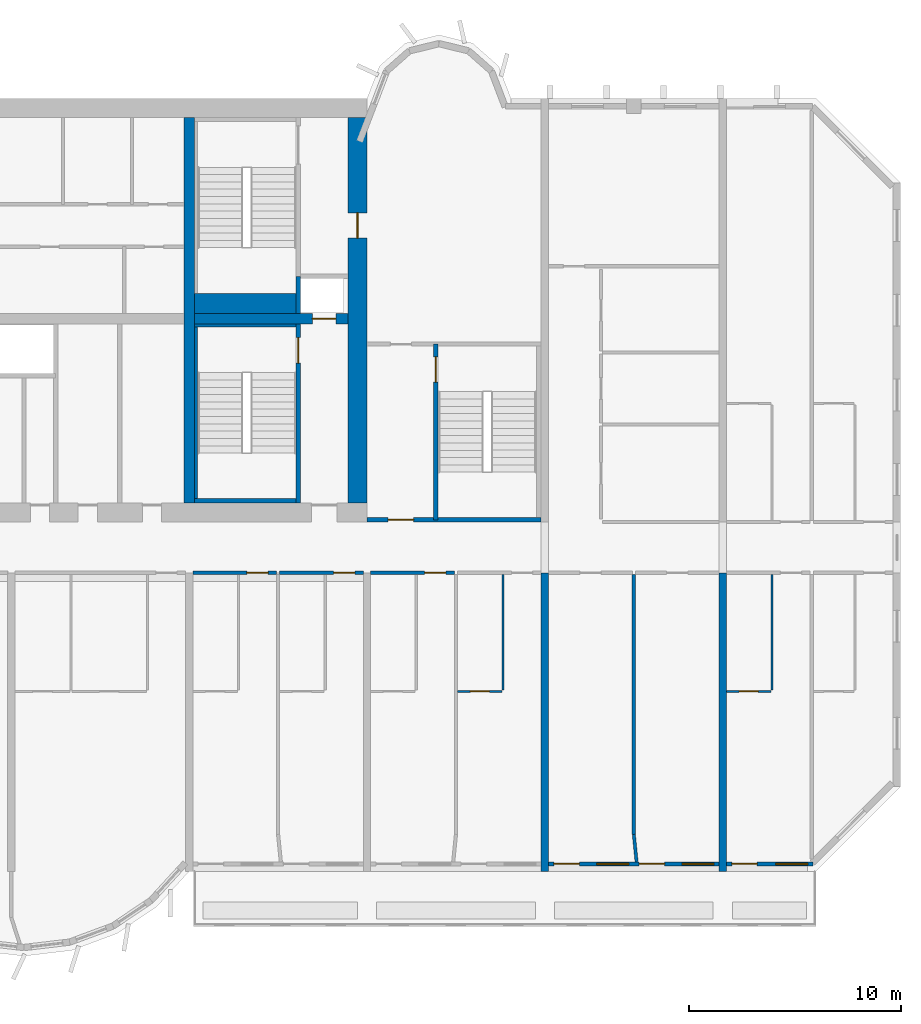
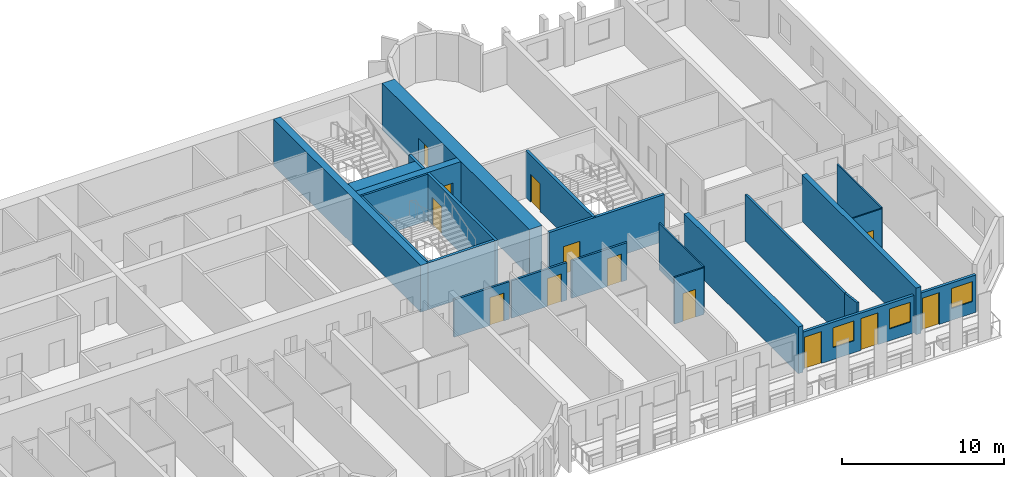
# One storey, part 9 of 15: 24 walls, 13 doors, 3 windows, 16 openings.
"""IFC4 building model written with IfcOpenShell, lengths in metres."""

from ifc_helpers import new_model, si_unit, direction, frame, frame_2d, origin, place, context, subcontext, project, spatial, rectangle, extrude, source, transform, mapped, material, layer, layer_set, type_object, element, fill, save


model = new_model("IFC4")

# Units and contexts
model_context = context("Model", 3, precision=1e-05, world=origin(), true_north=direction((0.0, 1.0)))
body_context = subcontext(model_context, "Body", "Model", "MODEL_VIEW")
ifc_project = project(units=[si_unit("LENGTHUNIT", "METRE"), si_unit("AREAUNIT", "SQUARE_METRE"), si_unit("VOLUMEUNIT", "CUBIC_METRE"), si_unit("PLANEANGLEUNIT", "RADIAN"), si_unit("MASSUNIT", "GRAM", prefix="KILO")], contexts=[model_context])

# Site, building, storey
site_placement = place(None, origin())
site = spatial("IfcSite", under=ifc_project, at=site_placement, CompositionType="ELEMENT")
building_placement = place(site_placement, origin())
building = spatial("IfcBuilding", under=site, at=building_placement, Name="Vanashikhar Sky Hotel", CompositionType="ELEMENT")
storey_placement = place(building_placement, frame((0.0, 0.0, 95.199951171875)))
storey = spatial("IfcBuildingStorey", under=building, at=storey_placement, Name="L22", CompositionType="ELEMENT", Elevation=95.199951171875)

# Wall, opening, door
ifc_material_1 = material(Name="Concrete M70", Category="concrete")
ifc_layer_1 = layer(ifc_material_1, 0.89990234375)
ifc_layer_set_1 = layer_set([ifc_layer_1], Name="RC core shell wall 900 Concrete M70")
wall_type_1 = type_object("IfcWallType", Name="RC core shell wall 900 Concrete M70", PredefinedType="SHEAR", material=ifc_layer_set_1)
shared_shape_1 = source(origin(), body_context, "Body", "SweptSolid", [
    extrude(rectangle(XDim=18.2001953125, YDim=0.89990234375, at=frame_2d((9.10009765625, 0.0))), origin(), (0.0, 0.0, 1.0), 3.52001953125),
])
wall_1_placement = place(storey_placement, frame((75.14990234375, 22.89990234375, 0.0), z_axis=(0.0, 0.0, 1.0), x_axis=(0.0, 1.0, 0.0)))
wall_1 = element("IfcWall", 1, at=wall_1_placement, inside=storey, type_object=wall_type_1, Name="KW-L22-KE", PredefinedType="SHEAR", context=body_context, shape_type="MappedRepresentation", body=[
    mapped(shared_shape_1, transform((0.0, 0.0, 0.0), scale=1.0)),
])
shared_shape_2 = source(origin(), body_context, "Body", "SweptSolid", [
    extrude(rectangle(XDim=1.199951171875, YDim=2.10009765625, at=frame_2d((0.60009765625, 1.050048828125))), frame((0.0, 0.4599609375, 0.0), z_axis=(0.0, -1.0, 0.0), x_axis=(1.0, 0.0, 0.0)), (0.0, 0.0, 1.0), 0.919921875),
])
opening_1_placement = place(wall_1_placement, frame((12.5, 0.0, 0.0)))
opening_1 = element("IfcOpeningElement", 2, at=opening_1_placement, cuts=wall_1, Name="Opening DC-4-D", PredefinedType="OPENING", context=body_context, shape_type="MappedRepresentation", body=[
    mapped(shared_shape_2, transform((0.0, 0.0, 0.0), scale=1.0)),
])
ifc_material_2 = material(Name="Steel", Category="steel")
door_type_1 = type_object("IfcDoorType", Name="Service door 1200 FD120", OperationType="NOTDEFINED", PredefinedType="DOOR", material=ifc_material_2)
shared_shape_3 = source(origin(), body_context, "Body", "SweptSolid", [
    extrude(rectangle(XDim=1.199951171875, YDim=2.10009765625, at=frame_2d((0.60009765625, 1.050048828125))), frame((0.0, 0.02490234375, 0.0), z_axis=(0.0, -1.0, 0.0), x_axis=(1.0, 0.0, 0.0)), (0.0, 0.0, 1.0), 0.050048828125),
])
door_1_placement = place(opening_1_placement, origin())
door_1 = element("IfcDoor", 3, at=door_1_placement, inside=storey, type_object=door_type_1, Name="Service door 1200 FD120", OperationType="SINGLE_SWING_RIGHT", OverallHeight=2.10009765625, OverallWidth=1.199951171875, PredefinedType="DOOR", context=body_context, shape_type="MappedRepresentation", body=[
    mapped(shared_shape_3, transform((0.0, 0.0, 0.0), scale=1.0)),
])
fill(opening_1, door_1)

# Wall
ifc_layer_2 = layer(ifc_material_1, 0.5)
ifc_layer_set_2 = layer_set([ifc_layer_2], Name="RC core inner wall 500 Concrete M70")
wall_type_2 = type_object("IfcWallType", Name="RC core inner wall 500 Concrete M70", PredefinedType="SHEAR", material=ifc_layer_set_2)
shared_shape_4 = source(origin(), body_context, "Body", "SweptSolid", [
    extrude(rectangle(XDim=18.2001953125, YDim=0.5, at=frame_2d((9.10009765625, 0.0))), origin(), (0.0, 0.0, 1.0), 3.52001953125),
])
wall_2_placement = place(storey_placement, frame((67.199951171875, 22.89990234375, 0.0), z_axis=(0.0, 0.0, 1.0), x_axis=(0.0, 1.0, 0.0)))
element("IfcWall", 4, at=wall_2_placement, inside=storey, type_object=wall_type_2, Name="KW-L22-KX3", PredefinedType="SHEAR", context=body_context, shape_type="MappedRepresentation", body=[
    mapped(shared_shape_4, transform((0.0, 0.0, 0.0), scale=1.0)),
])

# Wall, opening, door
shared_shape_5 = source(origin(), body_context, "Body", "SweptSolid", [
    extrude(rectangle(XDim=7.25, YDim=0.5, at=frame_2d((3.625, 0.0))), origin(), (0.0, 0.0, 1.0), 3.52001953125),
])
wall_3_placement = place(storey_placement, frame((67.449951171875, 31.60009765625, 0.0), z_axis=(0.0, 0.0, 1.0), x_axis=(1.0, 0.0, 0.0)))
wall_3 = element("IfcWall", 5, at=wall_3_placement, inside=storey, type_object=wall_type_2, Name="KW-L22-KY4", PredefinedType="SHEAR", context=body_context, shape_type="MappedRepresentation", body=[
    mapped(shared_shape_5, transform((0.0, 0.0, 0.0), scale=1.0)),
])
shared_shape_6 = source(origin(), body_context, "Body", "SweptSolid", [
    extrude(rectangle(XDim=1.10009765625, YDim=2.10009765625, at=frame_2d((0.550048828125, 1.050048828125))), frame((0.0, 0.260009765625, 0.0), z_axis=(0.0, -1.0, 0.0), x_axis=(1.0, 0.0, 0.0)), (0.0, 0.0, 1.0), 0.52001953125),
])
opening_2_placement = place(wall_3_placement, frame((5.574951171875, 0.0, 0.0)))
opening_2 = element("IfcOpeningElement", 6, at=opening_2_placement, cuts=wall_3, Name="Opening LD", PredefinedType="OPENING", context=body_context, shape_type="MappedRepresentation", body=[
    mapped(shared_shape_6, transform((0.0, 0.0, 0.0), scale=1.0)),
])
ifc_material_3 = material(Name="Stainless steel", Category="steel")
door_type_2 = type_object("IfcDoorType", Name="Lift landing door 1100", OperationType="NOTDEFINED", PredefinedType="DOOR", material=ifc_material_3)
shared_shape_7 = source(origin(), body_context, "Body", "SweptSolid", [
    extrude(rectangle(XDim=1.10009765625, YDim=2.10009765625, at=frame_2d((0.550048828125, 1.050048828125))), frame((0.0, 0.02490234375, 0.0), z_axis=(0.0, -1.0, 0.0), x_axis=(1.0, 0.0, 0.0)), (0.0, 0.0, 1.0), 0.050048828125),
])
door_2_placement = place(opening_2_placement, origin())
door_2 = element("IfcDoor", 7, at=door_2_placement, inside=storey, type_object=door_type_2, Name="Lift landing door 1100", OperationType="SLIDING_TO_RIGHT", OverallHeight=2.10009765625, OverallWidth=1.10009765625, PredefinedType="DOOR", context=body_context, shape_type="MappedRepresentation", body=[
    mapped(shared_shape_7, transform((0.0, 0.0, 0.0), scale=1.0)),
])
fill(opening_2, door_2)

# Walls
ifc_layer_3 = layer(ifc_material_1, 0.35009765625)
ifc_layer_set_3 = layer_set([ifc_layer_3], Name="RC shear wall 350 Concrete M70")
wall_type_3 = type_object("IfcWallType", Name="RC shear wall 350 Concrete M70", PredefinedType="SHEAR", material=ifc_layer_set_3)
shared_shape_8 = source(origin(), body_context, "Body", "SweptSolid", [
    extrude(rectangle(XDim=14.10009765625, YDim=0.35009765625, at=frame_2d((7.050048828125, 0.0))), origin(), (0.0, 0.0, 1.0), 3.52001953125),
])
for number, where, z_axis, x_axis, name in (
    (8, (84.0, 5.5, 0.0), (0.0, 0.0, 1.0), (0.0, 1.0, 0.0), "CW-L22-XW11-1"),
    (9, (92.39990234375, 5.5, 0.0), (0.0, 0.0, 1.0), (0.0, 1.0, 0.0), "CW-L22-XW12-1"),
):
    element("IfcWall", number, at=place(storey_placement, frame(where, z_axis=z_axis, x_axis=x_axis)), inside=storey, type_object=wall_type_3, Name=name, PredefinedType="SHEAR", context=body_context, shape_type="MappedRepresentation", body=[
        mapped(shared_shape_8, transform((0.0, 0.0, 0.0), scale=1.0)),
    ])

# Wall, openings, window, door
ifc_material_4 = material(Name="Concrete M50", Category="concrete")
ifc_layer_4 = layer(ifc_material_4, 0.199951171875)
ifc_layer_set_4 = layer_set([ifc_layer_4], Name="Front window wall 200")
wall_type_4 = type_object("IfcWallType", Name="Front window wall 200", PredefinedType="SOLIDWALL", material=ifc_layer_set_4)
shared_shape_9 = source(origin(), body_context, "Body", "SweptSolid", [
    extrude(rectangle(XDim=4.080078125, YDim=0.199951171875, at=frame_2d((2.0400390625, 0.0))), origin(), (0.0, 0.0, 1.0), 2.820068359375),
])
wall_4_placement = place(storey_placement, frame((92.574951171875, 5.85009765625, 0.0), z_axis=(0.0, 0.0, 1.0), x_axis=(1.0, 0.0, 0.0)))
wall_4 = element("IfcWall", 10, at=wall_4_placement, inside=storey, type_object=wall_type_4, Name="Front window wall", PredefinedType="SOLIDWALL", context=body_context, shape_type="MappedRepresentation", body=[
    mapped(shared_shape_9, transform((0.0, 0.0, 0.0), scale=1.0)),
])
shared_shape_10 = source(origin(), body_context, "Body", "SweptSolid", [
    extrude(rectangle(XDim=1.199951171875, YDim=2.39990234375, at=frame_2d((0.60009765625, 1.199951171875))), frame((0.0, 0.10986328125, 0.0), z_axis=(0.0, -1.0, 0.0), x_axis=(1.0, 0.0, 0.0)), (0.0, 0.0, 1.0), 0.219970703125),
])
opening_3_placement = place(wall_4_placement, frame((0.25, 0.0, 0.0)))
opening_3 = element("IfcOpeningElement", 11, at=opening_3_placement, cuts=wall_4, Name="Opening BD-14", PredefinedType="OPENING", context=body_context, shape_type="MappedRepresentation", body=[
    mapped(shared_shape_10, transform((0.0, 0.0, 0.0), scale=1.0)),
])
shared_shape_11 = source(origin(), body_context, "Body", "SweptSolid", [
    extrude(rectangle(XDim=1.5, YDim=1.5, at=frame_2d((0.75, 0.75))), frame((0.0, 0.10986328125, 0.0), z_axis=(0.0, -1.0, 0.0), x_axis=(1.0, 0.0, 0.0)), (0.0, 0.0, 1.0), 0.219970703125),
])
opening_4_placement = place(wall_4_placement, frame((2.330078125, 0.0, 0.89990234375)))
opening_4 = element("IfcOpeningElement", 12, at=opening_4_placement, cuts=wall_4, Name="Opening WN-1", PredefinedType="OPENING", context=body_context, shape_type="MappedRepresentation", body=[
    mapped(shared_shape_11, transform((0.0, 0.0, 0.0), scale=1.0)),
])
ifc_material_5 = material(Name="Glass", Category="glass")
window_type = type_object("IfcWindowType", Name="Window 1500 x 1500", PartitioningType="SINGLE_PANEL", PredefinedType="WINDOW", material=ifc_material_5)
shared_shape_12 = source(origin(), body_context, "Body", "SweptSolid", [
    extrude(rectangle(XDim=1.5, YDim=1.5, at=frame_2d((0.75, 0.75))), frame((0.0, 0.030029296875, 0.0), z_axis=(0.0, -1.0, 0.0), x_axis=(1.0, 0.0, 0.0)), (0.0, 0.0, 1.0), 0.06005859375),
])
window_1_placement = place(opening_4_placement, origin())
window_1 = element("IfcWindow", 13, at=window_1_placement, inside=storey, type_object=window_type, Name="Window WN-1", OverallHeight=1.5, OverallWidth=1.5, PartitioningType="SINGLE_PANEL", PredefinedType="WINDOW", context=body_context, shape_type="MappedRepresentation", body=[
    mapped(shared_shape_12, transform((0.0, 0.0, 0.0), scale=1.0)),
])
fill(opening_4, window_1)
ifc_material_6 = material(Name="Aluminium", Category="aluminium")
door_type_3 = type_object("IfcDoorType", Name="Balcony sliding door 1200 x 2400", OperationType="NOTDEFINED", PredefinedType="DOOR", material=ifc_material_6)
shared_shape_13 = source(origin(), body_context, "Body", "SweptSolid", [
    extrude(rectangle(XDim=1.199951171875, YDim=2.39990234375, at=frame_2d((0.60009765625, 1.199951171875))), frame((0.0, 0.02490234375, 0.0), z_axis=(0.0, -1.0, 0.0), x_axis=(1.0, 0.0, 0.0)), (0.0, 0.0, 1.0), 0.050048828125),
])
door_3_placement = place(opening_3_placement, origin())
door_3 = element("IfcDoor", 14, at=door_3_placement, inside=storey, type_object=door_type_3, Name="Balcony sliding door", OperationType="SLIDING_TO_RIGHT", OverallHeight=2.39990234375, OverallWidth=1.199951171875, PredefinedType="DOOR", context=body_context, shape_type="MappedRepresentation", body=[
    mapped(shared_shape_13, transform((0.0, 0.0, 0.0), scale=1.0)),
])
fill(opening_3, door_3)

# Wall, openings, windows, doors
shared_shape_14 = source(origin(), body_context, "Body", "SweptSolid", [
    extrude(rectangle(XDim=8.050048828125, YDim=0.199951171875, at=frame_2d((4.02490234375, 0.0))), origin(), (0.0, 0.0, 1.0), 2.820068359375),
])
wall_5_placement = place(storey_placement, frame((84.175048828125, 5.85009765625, 0.0), z_axis=(0.0, 0.0, 1.0), x_axis=(1.0, 0.0, 0.0)))
wall_5 = element("IfcWall", 15, at=wall_5_placement, inside=storey, type_object=wall_type_4, Name="Front window wall", PredefinedType="SOLIDWALL", context=body_context, shape_type="MappedRepresentation", body=[
    mapped(shared_shape_14, transform((0.0, 0.0, 0.0), scale=1.0)),
])
opening_5_placement = place(wall_5_placement, frame((0.25, 0.0, 0.0)))
opening_5 = element("IfcOpeningElement", 16, at=opening_5_placement, cuts=wall_5, Name="Opening BD-12", PredefinedType="OPENING", context=body_context, shape_type="MappedRepresentation", body=[
    mapped(shared_shape_10, transform((0.0, 0.0, 0.0), scale=1.0)),
])
opening_6_placement = place(wall_5_placement, frame((2.27490234375, 0.0, 0.89990234375)))
opening_6 = element("IfcOpeningElement", 17, at=opening_6_placement, cuts=wall_5, Name="Opening WN-1", PredefinedType="OPENING", context=body_context, shape_type="MappedRepresentation", body=[
    mapped(shared_shape_11, transform((0.0, 0.0, 0.0), scale=1.0)),
])
opening_7_placement = place(wall_5_placement, frame((4.27490234375, 0.0, 0.0)))
opening_7 = element("IfcOpeningElement", 18, at=opening_7_placement, cuts=wall_5, Name="Opening BD-13", PredefinedType="OPENING", context=body_context, shape_type="MappedRepresentation", body=[
    mapped(shared_shape_10, transform((0.0, 0.0, 0.0), scale=1.0)),
])
opening_8_placement = place(wall_5_placement, frame((6.300048828125, 0.0, 0.89990234375)))
opening_8 = element("IfcOpeningElement", 19, at=opening_8_placement, cuts=wall_5, Name="Opening WN-1", PredefinedType="OPENING", context=body_context, shape_type="MappedRepresentation", body=[
    mapped(shared_shape_11, transform((0.0, 0.0, 0.0), scale=1.0)),
])
window_2_placement = place(opening_6_placement, origin())
window_2 = element("IfcWindow", 20, at=window_2_placement, inside=storey, type_object=window_type, Name="Window WN-1", OverallHeight=1.5, OverallWidth=1.5, PartitioningType="SINGLE_PANEL", PredefinedType="WINDOW", context=body_context, shape_type="MappedRepresentation", body=[
    mapped(shared_shape_12, transform((0.0, 0.0, 0.0), scale=1.0)),
])
fill(opening_6, window_2)
window_3_placement = place(opening_8_placement, origin())
window_3 = element("IfcWindow", 21, at=window_3_placement, inside=storey, type_object=window_type, Name="Window WN-1", OverallHeight=1.5, OverallWidth=1.5, PartitioningType="SINGLE_PANEL", PredefinedType="WINDOW", context=body_context, shape_type="MappedRepresentation", body=[
    mapped(shared_shape_12, transform((0.0, 0.0, 0.0), scale=1.0)),
])
fill(opening_8, window_3)
door_4_placement = place(opening_5_placement, origin())
door_4 = element("IfcDoor", 22, at=door_4_placement, inside=storey, type_object=door_type_3, Name="Balcony sliding door", OperationType="SLIDING_TO_RIGHT", OverallHeight=2.39990234375, OverallWidth=1.199951171875, PredefinedType="DOOR", context=body_context, shape_type="MappedRepresentation", body=[
    mapped(shared_shape_13, transform((0.0, 0.0, 0.0), scale=1.0)),
])
fill(opening_5, door_4)
door_5_placement = place(opening_7_placement, origin())
door_5 = element("IfcDoor", 23, at=door_5_placement, inside=storey, type_object=door_type_3, Name="Balcony sliding door", OperationType="SLIDING_TO_LEFT", OverallHeight=2.39990234375, OverallWidth=1.199951171875, PredefinedType="DOOR", context=body_context, shape_type="MappedRepresentation", body=[
    mapped(shared_shape_13, transform((0.0, 0.0, 0.0), scale=1.0)),
])
fill(opening_7, door_5)

# Wall, opening, door
ifc_layer_5 = layer(ifc_material_4, 0.199951171875)
ifc_layer_set_5 = layer_set([ifc_layer_5], Name="Stair wall 200")
wall_type_5 = type_object("IfcWallType", Name="Stair wall 200", PredefinedType="SOLIDWALL", material=ifc_layer_set_5)
shared_shape_15 = source(origin(), body_context, "Body", "SweptSolid", [
    extrude(rectangle(XDim=8.2998046875, YDim=0.199951171875, at=frame_2d((4.14990234375, 0.0))), origin(), (0.0, 0.0, 1.0), 3.52001953125),
])
wall_6_placement = place(storey_placement, frame((78.85009765625, 22.10009765625, 0.0), z_axis=(0.0, 0.0, 1.0), x_axis=(0.0, 1.0, 0.0)))
wall_6 = element("IfcWall", 24, at=wall_6_placement, inside=storey, type_object=wall_type_5, Name="Stair wall 200", PredefinedType="SOLIDWALL", context=body_context, shape_type="MappedRepresentation", body=[
    mapped(shared_shape_15, transform((0.0, 0.0, 0.0), scale=1.0)),
])
shared_shape_16 = source(origin(), body_context, "Body", "SweptSolid", [
    extrude(rectangle(XDim=1.199951171875, YDim=2.10009765625, at=frame_2d((0.60009765625, 1.050048828125))), frame((0.0, 0.10986328125, 0.0), z_axis=(0.0, -1.0, 0.0), x_axis=(1.0, 0.0, 0.0)), (0.0, 0.0, 1.0), 0.219970703125),
])
opening_9_placement = place(wall_6_placement, frame((6.5, 0.0, 0.0)))
opening_9 = element("IfcOpeningElement", 25, at=opening_9_placement, cuts=wall_6, Name="Opening DC-1", PredefinedType="OPENING", context=body_context, shape_type="MappedRepresentation", body=[
    mapped(shared_shape_16, transform((0.0, 0.0, 0.0), scale=1.0)),
])
door_type_4 = type_object("IfcDoorType", Name="Stair door 1200 FD120", OperationType="NOTDEFINED", PredefinedType="DOOR", material=ifc_material_2)
door_6_placement = place(opening_9_placement, origin())
door_6 = element("IfcDoor", 26, at=door_6_placement, inside=storey, type_object=door_type_4, Name="Stair door 1200 FD120", OperationType="SINGLE_SWING_RIGHT", OverallHeight=2.10009765625, OverallWidth=1.199951171875, PredefinedType="DOOR", context=body_context, shape_type="MappedRepresentation", body=[
    mapped(shared_shape_3, transform((0.0, 0.0, 0.0), scale=1.0)),
])
fill(opening_9, door_6)

shared_shape_17 = source(origin(), body_context, "Body", "SweptSolid", [
    extrude(rectangle(XDim=8.4501953125, YDim=0.199951171875, at=frame_2d((4.22509765625, 0.0))), origin(), (0.0, 0.0, 1.0), 3.52001953125),
])
wall_7_placement = place(storey_placement, frame((72.35009765625, 22.89990234375, 0.0), z_axis=(0.0, 0.0, 1.0), x_axis=(0.0, 1.0, 0.0)))
wall_7 = element("IfcWall", 27, at=wall_7_placement, inside=storey, type_object=wall_type_5, Name="Stair wall 200", PredefinedType="SOLIDWALL", context=body_context, shape_type="MappedRepresentation", body=[
    mapped(shared_shape_17, transform((0.0, 0.0, 0.0), scale=1.0)),
])
opening_10_placement = place(wall_7_placement, frame((6.60009765625, 0.0, 0.0)))
opening_10 = element("IfcOpeningElement", 28, at=opening_10_placement, cuts=wall_7, Name="Opening DC-1", PredefinedType="OPENING", context=body_context, shape_type="MappedRepresentation", body=[
    mapped(shared_shape_16, transform((0.0, 0.0, 0.0), scale=1.0)),
])
door_7_placement = place(opening_10_placement, origin())
door_7 = element("IfcDoor", 29, at=door_7_placement, inside=storey, type_object=door_type_4, Name="Stair door 1200 FD120", OperationType="SINGLE_SWING_LEFT", OverallHeight=2.10009765625, OverallWidth=1.199951171875, PredefinedType="DOOR", context=body_context, shape_type="MappedRepresentation", body=[
    mapped(shared_shape_3, transform((0.0, 0.0, 0.0), scale=1.0)),
])
fill(opening_10, door_7)

# Wall
ifc_material_7 = material(Name="Concrete M40", Category="concrete")
ifc_layer_6 = layer(ifc_material_7, 0.199951171875)
ifc_layer_set_6 = layer_set([ifc_layer_6], Name="Shaft wall 200")
wall_type_6 = type_object("IfcWallType", Name="Shaft wall 200", PredefinedType="SOLIDWALL", material=ifc_layer_set_6)
shared_shape_18 = source(origin(), body_context, "Body", "SweptSolid", [
    extrude(rectangle(XDim=1.75, YDim=0.199951171875, at=frame_2d((0.875, 0.0))), origin(), (0.0, 0.0, 1.0), 3.52001953125),
])
wall_8_placement = place(storey_placement, frame((72.35009765625, 31.85009765625, 0.0), z_axis=(0.0, 0.0, 1.0), x_axis=(0.0, 1.0, 0.0)))
element("IfcWall", 30, at=wall_8_placement, inside=storey, type_object=wall_type_6, Name="Shaft wall 200", PredefinedType="SOLIDWALL", context=body_context, shape_type="MappedRepresentation", body=[
    mapped(shared_shape_18, transform((0.0, 0.0, 0.0), scale=1.0)),
])

# Wall, opening, door
shared_shape_19 = source(origin(), body_context, "Body", "SweptSolid", [
    extrude(rectangle(XDim=8.224853515625, YDim=0.199951171875, at=frame_2d((4.1123046875, 0.0))), origin(), (0.0, 0.0, 1.0), 3.52001953125),
])
wall_9_placement = place(storey_placement, frame((83.824951171875, 22.10009765625, 0.0), z_axis=(0.0, 0.0, 1.0), x_axis=(-1.0, 0.0, 0.0)))
wall_9 = element("IfcWall", 31, at=wall_9_placement, inside=storey, type_object=wall_type_5, Name="Stair wall 200", PredefinedType="SOLIDWALL", context=body_context, shape_type="MappedRepresentation", body=[
    mapped(shared_shape_19, transform((0.0, 0.0, 0.0), scale=1.0)),
])
opening_11_placement = place(wall_9_placement, frame((6.02490234375, 0.0, 0.0)))
opening_11 = element("IfcOpeningElement", 32, at=opening_11_placement, cuts=wall_9, Name="Opening DC-2", PredefinedType="OPENING", context=body_context, shape_type="MappedRepresentation", body=[
    mapped(shared_shape_16, transform((0.0, 0.0, 0.0), scale=1.0)),
])
door_type_5 = type_object("IfcDoorType", Name="Firefighting lobby door 1200 FD120", OperationType="NOTDEFINED", PredefinedType="DOOR", material=ifc_material_2)
door_8_placement = place(opening_11_placement, origin())
door_8 = element("IfcDoor", 33, at=door_8_placement, inside=storey, type_object=door_type_5, Name="Firefighting lobby door 1200 FD120", OperationType="SINGLE_SWING_RIGHT", OverallHeight=2.10009765625, OverallWidth=1.199951171875, PredefinedType="DOOR", context=body_context, shape_type="MappedRepresentation", body=[
    mapped(shared_shape_3, transform((0.0, 0.0, 0.0), scale=1.0)),
])
fill(opening_11, door_8)

# Walls
ifc_layer_7 = layer(ifc_material_4, 0.199951171875)
ifc_layer_set_7 = layer_set([ifc_layer_7], Name="Stair infill wall 200")
wall_type_7 = type_object("IfcWallType", Name="Stair infill wall 200", PredefinedType="SOLIDWALL", material=ifc_layer_set_7)
shared_shape_20 = source(origin(), body_context, "Body", "SweptSolid", [
    extrude(rectangle(XDim=4.800048828125, YDim=0.199951171875, at=frame_2d((2.39990234375, 0.0))), origin(), (0.0, 0.0, 1.0), 3.52001953125),
])
wall_10_placement = place(storey_placement, frame((67.449951171875, 23.0, 0.0), z_axis=(0.0, 0.0, 1.0), x_axis=(1.0, 0.0, 0.0)))
element("IfcWall", 34, at=wall_10_placement, inside=storey, type_object=wall_type_7, Name="Stair infill wall 200", PredefinedType="SOLIDWALL", context=body_context, shape_type="MappedRepresentation", body=[
    mapped(shared_shape_20, transform((0.0, 0.0, 0.0), scale=1.0)),
])
ifc_layer_8 = layer(ifc_material_4, 0.14990234375)
ifc_layer_set_8 = layer_set([ifc_layer_8], Name="Stair infill wall 150")
wall_type_8 = type_object("IfcWallType", Name="Stair infill wall 150", PredefinedType="SOLIDWALL", material=ifc_layer_set_8)
shared_shape_21 = source(origin(), body_context, "Body", "SweptSolid", [
    extrude(rectangle(XDim=4.800048828125, YDim=0.14990234375, at=frame_2d((2.39990234375, 0.0))), origin(), (0.0, 0.0, 1.0), 3.52001953125),
])
wall_11_placement = place(storey_placement, frame((67.449951171875, 31.27490234375, 0.0), z_axis=(0.0, 0.0, 1.0), x_axis=(1.0, 0.0, 0.0)))
element("IfcWall", 35, at=wall_11_placement, inside=storey, type_object=wall_type_8, Name="Stair infill wall 150", PredefinedType="SOLIDWALL", context=body_context, shape_type="MappedRepresentation", body=[
    mapped(shared_shape_21, transform((0.0, 0.0, 0.0), scale=1.0)),
])
shared_shape_22 = source(origin(), body_context, "Body", "SweptSolid", [
    extrude(rectangle(XDim=8.099853515625, YDim=0.14990234375, at=frame_2d((4.0498046875, 0.0))), origin(), (0.0, 0.0, 1.0), 3.52001953125),
])
wall_12_placement = place(storey_placement, frame((67.52490234375, 23.10009765625, 0.0), z_axis=(0.0, 0.0, 1.0), x_axis=(0.0, 1.0, 0.0)))
element("IfcWall", 36, at=wall_12_placement, inside=storey, type_object=wall_type_8, Name="Stair infill wall 150", PredefinedType="SOLIDWALL", context=body_context, shape_type="MappedRepresentation", body=[
    mapped(shared_shape_22, transform((0.0, 0.0, 0.0), scale=1.0)),
])
ifc_layer_9 = layer(ifc_material_4, 0.949951171875)
ifc_layer_set_9 = layer_set([ifc_layer_9], Name="Stair infill wall 950")
wall_type_9 = type_object("IfcWallType", Name="Stair infill wall 950", PredefinedType="SOLIDWALL", material=ifc_layer_set_9)
shared_shape_23 = source(origin(), body_context, "Body", "SweptSolid", [
    extrude(rectangle(XDim=4.800048828125, YDim=0.949951171875, at=frame_2d((2.39990234375, 0.0))), origin(), (0.0, 0.0, 1.0), 3.52001953125),
])
wall_13_placement = place(storey_placement, frame((67.449951171875, 32.324951171875, 0.0), z_axis=(0.0, 0.0, 1.0), x_axis=(1.0, 0.0, 0.0)))
element("IfcWall", 37, at=wall_13_placement, inside=storey, type_object=wall_type_9, Name="Stair infill wall 950", PredefinedType="SOLIDWALL", context=body_context, shape_type="MappedRepresentation", body=[
    mapped(shared_shape_23, transform((0.0, 0.0, 0.0), scale=1.0)),
])
ifc_material_8 = material(Name="Gypsum plasterboard partition")
ifc_layer_10 = layer(ifc_material_8, 0.10009765625)
ifc_layer_set_10 = layer_set([ifc_layer_10], Name="Wet room partition 100")
wall_type_10 = type_object("IfcWallType", Name="Wet room partition 100", PredefinedType="PARTITIONING", material=ifc_layer_set_10)
shared_shape_24 = source(origin(), body_context, "Body", "SweptSolid", [
    extrude(rectangle(XDim=5.449951171875, YDim=0.10009765625, at=frame_2d((2.72509765625, 0.0))), origin(), (0.0, 0.0, 1.0), 3.52001953125),
])
for number, where, z_axis, x_axis, name in (
    (38, (82.02490234375, 14.074951171875, 0.0), (0.0, 0.0, 1.0), (0.0, 1.0, 0.0), "W-L22-PW057"),
    (39, (94.72509765625, 14.074951171875, 0.0), (0.0, 0.0, 1.0), (0.0, 1.0, 0.0), "W-L22-PW064"),
):
    element("IfcWall", number, at=place(storey_placement, frame(where, z_axis=z_axis, x_axis=x_axis)), inside=storey, type_object=wall_type_10, Name=name, PredefinedType="PARTITIONING", context=body_context, shape_type="MappedRepresentation", body=[
        mapped(shared_shape_24, transform((0.0, 0.0, 0.0), scale=1.0)),
    ])

# Wall, opening, door
shared_shape_25 = source(origin(), body_context, "Body", "SweptSolid", [
    extrude(rectangle(XDim=2.10009765625, YDim=0.10009765625, at=frame_2d((1.050048828125, 0.0))), origin(), (0.0, 0.0, 1.0), 3.52001953125),
])
wall_14_placement = place(storey_placement, frame((79.875, 14.0, 0.0), z_axis=(0.0, 0.0, 1.0), x_axis=(1.0, 0.0, 0.0)))
wall_14 = element("IfcWall", 40, at=wall_14_placement, inside=storey, type_object=wall_type_10, Name="W-L22-PW058", PredefinedType="PARTITIONING", context=body_context, shape_type="MappedRepresentation", body=[
    mapped(shared_shape_25, transform((0.0, 0.0, 0.0), scale=1.0)),
])
shared_shape_26 = source(origin(), body_context, "Body", "SweptSolid", [
    extrude(rectangle(XDim=0.89990234375, YDim=2.10009765625, at=frame_2d((0.449951171875, 1.050048828125))), frame((0.0, 0.06005859375, 0.0), z_axis=(0.0, -1.0, 0.0), x_axis=(1.0, 0.0, 0.0)), (0.0, 0.0, 1.0), 0.1201171875),
])
opening_12_placement = place(wall_14_placement, frame((0.60009765625, 0.0, 0.0)))
opening_12 = element("IfcOpeningElement", 41, at=opening_12_placement, cuts=wall_14, Name="Opening D-02", PredefinedType="OPENING", context=body_context, shape_type="MappedRepresentation", body=[
    mapped(shared_shape_26, transform((0.0, 0.0, 0.0), scale=1.0)),
])
ifc_material_9 = material(Name="Timber door", Category="wood")
door_type_6 = type_object("IfcDoorType", Name="Internal door 900", OperationType="NOTDEFINED", PredefinedType="DOOR", material=ifc_material_9)
shared_shape_27 = source(origin(), body_context, "Body", "SweptSolid", [
    extrude(rectangle(XDim=0.89990234375, YDim=2.10009765625, at=frame_2d((0.449951171875, 1.050048828125))), frame((0.0, 0.02490234375, 0.0), z_axis=(0.0, -1.0, 0.0), x_axis=(1.0, 0.0, 0.0)), (0.0, 0.0, 1.0), 0.050048828125),
])
door_9_placement = place(opening_12_placement, origin())
door_9 = element("IfcDoor", 42, at=door_9_placement, inside=storey, type_object=door_type_6, Name="D-L22-034", OperationType="SINGLE_SWING_RIGHT", OverallHeight=2.10009765625, OverallWidth=0.89990234375, PredefinedType="DOOR", context=body_context, shape_type="MappedRepresentation", body=[
    mapped(shared_shape_27, transform((0.0, 0.0, 0.0), scale=1.0)),
])
fill(opening_12, door_9)

wall_15_placement = place(storey_placement, frame((92.574951171875, 14.0, 0.0), z_axis=(0.0, 0.0, 1.0), x_axis=(1.0, 0.0, 0.0)))
wall_15 = element("IfcWall", 43, at=wall_15_placement, inside=storey, type_object=wall_type_10, Name="W-L22-PW065", PredefinedType="PARTITIONING", context=body_context, shape_type="MappedRepresentation", body=[
    mapped(shared_shape_25, transform((0.0, 0.0, 0.0), scale=1.0)),
])
opening_13_placement = place(wall_15_placement, frame((0.60009765625, 0.0, 0.0)))
opening_13 = element("IfcOpeningElement", 44, at=opening_13_placement, cuts=wall_15, Name="Opening D-02", PredefinedType="OPENING", context=body_context, shape_type="MappedRepresentation", body=[
    mapped(shared_shape_26, transform((0.0, 0.0, 0.0), scale=1.0)),
])
door_10_placement = place(opening_13_placement, origin())
door_10 = element("IfcDoor", 45, at=door_10_placement, inside=storey, type_object=door_type_6, Name="D-L22-038", OperationType="SINGLE_SWING_RIGHT", OverallHeight=2.10009765625, OverallWidth=0.89990234375, PredefinedType="DOOR", context=body_context, shape_type="MappedRepresentation", body=[
    mapped(shared_shape_27, transform((0.0, 0.0, 0.0), scale=1.0)),
])
fill(opening_13, door_10)

ifc_layer_11 = layer(ifc_material_8, 0.14990234375)
ifc_layer_set_11 = layer_set([ifc_layer_11], Name="Corridor and demising partition 150")
wall_type_11 = type_object("IfcWallType", Name="Corridor and demising partition 150", PredefinedType="PARTITIONING", material=ifc_layer_set_11)
shared_shape_28 = source(origin(), body_context, "Body", "SweptSolid", [
    extrude(rectangle(XDim=3.9501953125, YDim=0.14990234375, at=frame_2d((1.97509765625, 0.0))), origin(), (0.0, 0.0, 1.0), 2.820068359375),
])
wall_16_placement = place(storey_placement, frame((75.77490234375, 19.60009765625, 0.0), z_axis=(0.0, 0.0, 1.0), x_axis=(1.0, 0.0, 0.0)))
wall_16 = element("IfcWall", 46, at=wall_16_placement, inside=storey, type_object=wall_type_11, Name="W-L22-PW056", PredefinedType="PARTITIONING", context=body_context, shape_type="MappedRepresentation", body=[
    mapped(shared_shape_28, transform((0.0, 0.0, 0.0), scale=1.0)),
])
shared_shape_29 = source(origin(), body_context, "Body", "SweptSolid", [
    extrude(rectangle(XDim=1.0, YDim=2.10009765625, at=frame_2d((0.5, 1.050048828125))), frame((0.0, 0.0849609375, 0.0), z_axis=(0.0, -1.0, 0.0), x_axis=(1.0, 0.0, 0.0)), (0.0, 0.0, 1.0), 0.169921875),
])
opening_14_placement = place(wall_16_placement, frame((2.550048828125, 0.0, 0.0)))
opening_14 = element("IfcOpeningElement", 47, at=opening_14_placement, cuts=wall_16, Name="Opening D-01", PredefinedType="OPENING", context=body_context, shape_type="MappedRepresentation", body=[
    mapped(shared_shape_29, transform((0.0, 0.0, 0.0), scale=1.0)),
])
ifc_material_10 = material(Name="Timber fire door", Category="wood")
door_type_7 = type_object("IfcDoorType", Name="Guest entry door 1000 FD30S", OperationType="NOTDEFINED", PredefinedType="DOOR", material=ifc_material_10)
shared_shape_30 = source(origin(), body_context, "Body", "SweptSolid", [
    extrude(rectangle(XDim=1.0, YDim=2.10009765625, at=frame_2d((0.5, 1.050048828125))), frame((0.0, 0.02490234375, 0.0), z_axis=(0.0, -1.0, 0.0), x_axis=(1.0, 0.0, 0.0)), (0.0, 0.0, 1.0), 0.050048828125),
])
door_11_placement = place(opening_14_placement, origin())
door_11 = element("IfcDoor", 48, at=door_11_placement, inside=storey, type_object=door_type_7, Name="D-L22-033", OperationType="SINGLE_SWING_RIGHT", OverallHeight=2.10009765625, OverallWidth=1.0, PredefinedType="DOOR", context=body_context, shape_type="MappedRepresentation", body=[
    mapped(shared_shape_30, transform((0.0, 0.0, 0.0), scale=1.0)),
])
fill(opening_14, door_11)

shared_shape_31 = source(origin(), body_context, "Body", "SweptSolid", [
    extrude(rectangle(XDim=3.949951171875, YDim=0.14990234375, at=frame_2d((1.97509765625, 0.0))), origin(), (0.0, 0.0, 1.0), 2.820068359375),
])
wall_17_placement = place(storey_placement, frame((67.375, 19.60009765625, 0.0), z_axis=(0.0, 0.0, 1.0), x_axis=(1.0, 0.0, 0.0)))
wall_17 = element("IfcWall", 49, at=wall_17_placement, inside=storey, type_object=wall_type_11, Name="W-L22-PW049", PredefinedType="PARTITIONING", context=body_context, shape_type="MappedRepresentation", body=[
    mapped(shared_shape_31, transform((0.0, 0.0, 0.0), scale=1.0)),
])
opening_15_placement = place(wall_17_placement, frame((2.550048828125, 0.0, 0.0)))
opening_15 = element("IfcOpeningElement", 50, at=opening_15_placement, cuts=wall_17, Name="Opening D-01", PredefinedType="OPENING", context=body_context, shape_type="MappedRepresentation", body=[
    mapped(shared_shape_29, transform((0.0, 0.0, 0.0), scale=1.0)),
])
door_12_placement = place(opening_15_placement, origin())
door_12 = element("IfcDoor", 51, at=door_12_placement, inside=storey, type_object=door_type_7, Name="D-L22-029", OperationType="SINGLE_SWING_RIGHT", OverallHeight=2.10009765625, OverallWidth=1.0, PredefinedType="DOOR", context=body_context, shape_type="MappedRepresentation", body=[
    mapped(shared_shape_30, transform((0.0, 0.0, 0.0), scale=1.0)),
])
fill(opening_15, door_12)

wall_18_placement = place(storey_placement, frame((71.47509765625, 19.60009765625, 0.0), z_axis=(0.0, 0.0, 1.0), x_axis=(1.0, 0.0, 0.0)))
wall_18 = element("IfcWall", 52, at=wall_18_placement, inside=storey, type_object=wall_type_11, Name="W-L22-PW052", PredefinedType="PARTITIONING", context=body_context, shape_type="MappedRepresentation", body=[
    mapped(shared_shape_31, transform((0.0, 0.0, 0.0), scale=1.0)),
])
opening_16_placement = place(wall_18_placement, frame((2.550048828125, 0.0, 0.0)))
opening_16 = element("IfcOpeningElement", 53, at=opening_16_placement, cuts=wall_18, Name="Opening D-01", PredefinedType="OPENING", context=body_context, shape_type="MappedRepresentation", body=[
    mapped(shared_shape_29, transform((0.0, 0.0, 0.0), scale=1.0)),
])
door_13_placement = place(opening_16_placement, origin())
door_13 = element("IfcDoor", 54, at=door_13_placement, inside=storey, type_object=door_type_7, Name="D-L22-031", OperationType="SINGLE_SWING_RIGHT", OverallHeight=2.10009765625, OverallWidth=1.0, PredefinedType="DOOR", context=body_context, shape_type="MappedRepresentation", body=[
    mapped(shared_shape_30, transform((0.0, 0.0, 0.0), scale=1.0)),
])
fill(opening_16, door_13)

# Walls
shared_shape_32 = source(origin(), body_context, "Body", "SweptSolid", [
    extrude(rectangle(XDim=12.27490234375, YDim=0.14990234375, at=frame_2d((6.137451171875, 0.0))), origin(), (0.0, 0.0, 1.0), 3.52001953125),
])
wall_19_placement = place(storey_placement, frame((88.199951171875, 7.25, 0.0), z_axis=(0.0, 0.0, 1.0), x_axis=(0.0, 1.0, 0.0)))
element("IfcWall", 55, at=wall_19_placement, inside=storey, type_object=wall_type_11, Name="W-L22-PW063", PredefinedType="PARTITIONING", context=body_context, shape_type="MappedRepresentation", body=[
    mapped(shared_shape_32, transform((0.0, 0.0, 0.0), scale=1.0)),
])
shared_shape_33 = source(origin(), body_context, "Body", "SweptSolid", [
    extrude(rectangle(XDim=1.306640625, YDim=0.14990234375, at=frame_2d((0.6533203125, 0.0))), origin(), (0.0, 0.0, 1.0), 3.52001953125),
])
wall_20_placement = place(storey_placement, frame((88.330078125, 5.949951171875, 0.0), z_axis=(0.0, 0.0, 1.0), x_axis=(-0.099596223396, 0.99502793543, 0.0)))
element("IfcWall", 56, at=wall_20_placement, inside=storey, type_object=wall_type_11, Name="W-L22-PW063B0", PredefinedType="PARTITIONING", context=body_context, shape_type="MappedRepresentation", body=[
    mapped(shared_shape_33, transform((0.0, 0.0, 0.0), scale=1.0)),
])

save(model, "model.ifc")
